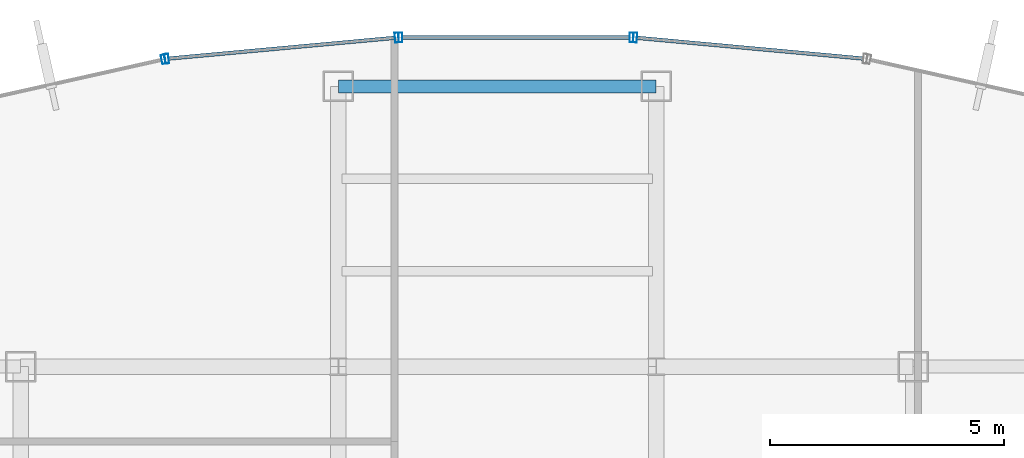
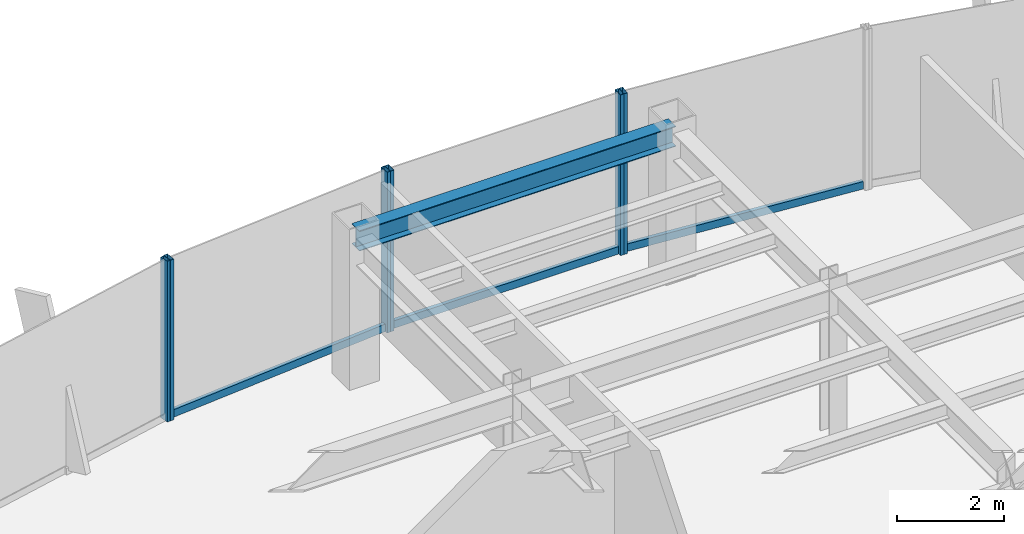
# One storey, part 16 of 25: 9 members, 1 beam, 4 elements without a shape of their own.
"""IFC4 building model written with IfcOpenShell, lengths in metres."""

from ifc_helpers import new_model, si_unit, derived_unit, direction, frame, origin, origin_2d, place, context, subcontext, project, spatial, hollow_rectangle, i_section, extrude, source, transform, mapped, material, material_profile, profile_set, type_object, element, aggregate, save


model = new_model("IFC4")

# Units and contexts
model_context = context("Model", 3, precision=1e-05, world=origin(), true_north=direction((0.0, 1.0)))
body_context = subcontext(model_context, "Body", "Model", "MODEL_VIEW")
ifc_project = project(units=[si_unit("LENGTHUNIT", "METRE"), si_unit("AREAUNIT", "SQUARE_METRE"), si_unit("VOLUMEUNIT", "CUBIC_METRE"), si_unit("PLANEANGLEUNIT", "RADIAN"), si_unit("MASSUNIT", "GRAM", prefix="KILO"), derived_unit("THERMALTRANSMITTANCEUNIT", [(si_unit("POWERUNIT", "WATT"), 1), (si_unit("LENGTHUNIT", "METRE"), -2), (si_unit("THERMODYNAMICTEMPERATUREUNIT", "KELVIN"), -1)])], contexts=[model_context])

# Site, building, storey
site_placement = place(None, origin())
site = spatial("IfcSite", under=ifc_project, at=site_placement, CompositionType="ELEMENT")
building_placement = place(site_placement, origin())
building = spatial("IfcBuilding", under=site, at=building_placement, Name="Skarnbrae Concourse Arena and Tower", CompositionType="ELEMENT")
storey_placement = place(building_placement, frame((0.0, 0.0, 169.800048828125)))
storey = spatial("IfcBuildingStorey", under=building, at=storey_placement, Name="L43", CompositionType="ELEMENT", Elevation=169.800048828125)

# Beam
ifc_material_1 = material(Name="Steel CSA G40.21 350W", Category="steel")
ifc_material_profile_1 = material_profile(ifc_material_1, i_section(OverallWidth=0.280029296875, OverallDepth=0.462890625, WebThickness=0.0107421875, FlangeThickness=0.017333984375, at=origin_2d()), Name="W460X113")
ifc_profile_set_1 = profile_set([ifc_material_profile_1], Name="Steel CSA G40.21 350W")
beam_type = type_object("IfcBeamType", Name="BM-SPAN-W460X113", PredefinedType="SPANDREL", material=ifc_profile_set_1)
shared_shape_1 = source(origin(), body_context, "Body", "SweptSolid", [
    extrude(i_section(OverallWidth=0.280029296875, OverallDepth=0.462890625, WebThickness=0.0107421875, FlangeThickness=0.017333984375, at=origin_2d()), origin(), (0.0, 0.0, 1.0), 6.800048828125),
])
beam_placement = place(storey_placement, frame((21.199951171875, 40.39990234375, 3.16845703125), z_axis=(1.0, 0.0, 0.0), x_axis=(0.0, 1.0, 0.0)))
element("IfcBeam", 1, at=beam_placement, inside=storey, type_object=beam_type, Name="L43 Perimeter spandrel Y40.4-1", PredefinedType="SPANDREL", context=body_context, shape_type="MappedRepresentation", body=[
    mapped(shared_shape_1, transform((0.0, 0.0, 0.0))),
])

# Curtain wall, member
ifc_material_2 = material(Name="Bronze anodised aluminium 6063-T6", Category="aluminium")
curtain_wall_type_1 = type_object("IfcCurtainWallType", Name="CW-SYS-03-PORTAL", PredefinedType="USERDEFINED", material=ifc_material_2)
curtain_wall_1_placement = place(storey_placement, origin())
curtain_wall_1 = element("IfcCurtainWall", 2, at=curtain_wall_1_placement, inside=storey, type_object=curtain_wall_type_1, Name="L43 Unitised curtain wall CW-L43-E10", ObjectType="UNITISED CURTAIN WALL", PredefinedType="USERDEFINED")
ifc_material_profile_2 = material_profile(ifc_material_2, hollow_rectangle(XDim=0.080078125, YDim=0.2099609375, WallThickness=0.00439453125, at=origin_2d()), Name="ALU-MULL-80X210")
ifc_profile_set_2 = profile_set([ifc_material_profile_2], Name="Bronze anodised aluminium 6063-T6")
member_type_1 = type_object("IfcMemberType", Name="CWM-CW-03", PredefinedType="MULLION", material=ifc_profile_set_2)
shared_shape_2 = source(origin(), body_context, "Body", "SweptSolid", [
    extrude(hollow_rectangle(XDim=0.080078125, YDim=0.2099609375, WallThickness=0.00439453125, at=origin_2d()), origin(), (0.0, 0.0, 1.0), 3.64990234375),
])
member_1_placement = place(storey_placement, frame((27.551025390625, 41.44189453125, 0.0), z_axis=(0.0, 0.0, 1.0), x_axis=(-0.995819926016, 0.091338244731, 0.0)))
member_1 = element("IfcMember", 3, at=member_1_placement, type_object=member_type_1, Name="CW-L43-E10 Mullion 2", PredefinedType="MULLION", context=body_context, shape_type="MappedRepresentation", body=[
    mapped(shared_shape_2, transform((0.0, 0.0, 0.0))),
])

# Curtain wall, members
curtain_wall_2_placement = place(storey_placement, origin())
curtain_wall_2 = element("IfcCurtainWall", 4, at=curtain_wall_2_placement, inside=storey, type_object=curtain_wall_type_1, Name="L43 Unitised curtain wall CW-L43-E11", ObjectType="UNITISED CURTAIN WALL", PredefinedType="USERDEFINED")
member_2_placement = place(storey_placement, frame((27.47119140625, 41.445556640625, 0.0), z_axis=(0.0, 0.0, 1.0), x_axis=(-1.0, 0.0, 0.0)))
member_2 = element("IfcMember", 5, at=member_2_placement, type_object=member_type_1, Name="CW-L43-E11 Mullion 1", PredefinedType="MULLION", context=body_context, shape_type="MappedRepresentation", body=[
    mapped(shared_shape_2, transform((0.0, 0.0, 0.0))),
])
member_3_placement = place(storey_placement, frame((22.52880859375, 41.445556640625, 0.0), z_axis=(0.0, 0.0, 1.0), x_axis=(-1.0, 0.0, 0.0)))
member_3 = element("IfcMember", 6, at=member_3_placement, type_object=member_type_1, Name="CW-L43-E11 Mullion 2", PredefinedType="MULLION", context=body_context, shape_type="MappedRepresentation", body=[
    mapped(shared_shape_2, transform((0.0, 0.0, 0.0))),
])

curtain_wall_3_placement = place(storey_placement, origin())
curtain_wall_3 = element("IfcCurtainWall", 7, at=curtain_wall_3_placement, inside=storey, type_object=curtain_wall_type_1, Name="L43 Unitised curtain wall CW-L43-E12", ObjectType="UNITISED CURTAIN WALL", PredefinedType="USERDEFINED")
member_4_placement = place(storey_placement, frame((22.448974609375, 41.44189453125, 0.0), z_axis=(0.0, 0.0, 1.0), x_axis=(-0.995819926016, -0.091338244731, 0.0)))
member_4 = element("IfcMember", 8, at=member_4_placement, type_object=member_type_1, Name="CW-L43-E12 Mullion 1", PredefinedType="MULLION", context=body_context, shape_type="MappedRepresentation", body=[
    mapped(shared_shape_2, transform((0.0, 0.0, 0.0))),
])
member_5_placement = place(storey_placement, frame((17.527587890625, 40.990478515625, 0.0), z_axis=(0.0, 0.0, 1.0), x_axis=(-0.995819926016, -0.091338244731, 0.0)))
member_5 = element("IfcMember", 9, at=member_5_placement, type_object=member_type_1, Name="CW-L43-E12 Mullion 2", PredefinedType="MULLION", context=body_context, shape_type="MappedRepresentation", body=[
    mapped(shared_shape_2, transform((0.0, 0.0, 0.0))),
])

# Curtain wall, member
curtain_wall_type_2 = type_object("IfcCurtainWallType", Name="CW-SYS-04-MIDZONE", PredefinedType="USERDEFINED", material=ifc_material_2)
curtain_wall_4_placement = place(storey_placement, origin())
curtain_wall_4 = element("IfcCurtainWall", 10, at=curtain_wall_4_placement, inside=storey, type_object=curtain_wall_type_2, Name="L43 Unitised curtain wall CW-L43-E13", ObjectType="UNITISED CURTAIN WALL", PredefinedType="USERDEFINED")
ifc_material_profile_3 = material_profile(ifc_material_2, hollow_rectangle(XDim=0.074951171875, YDim=0.195068359375, WallThickness=0.00439453125, at=origin_2d()), Name="ALU-MULL-75X195")
ifc_profile_set_3 = profile_set([ifc_material_profile_3], Name="Bronze anodised aluminium 6063-T6")
member_type_2 = type_object("IfcMemberType", Name="CWM-CW-04", PredefinedType="MULLION", material=ifc_profile_set_3)
shared_shape_3 = source(origin(), body_context, "Body", "SweptSolid", [
    extrude(hollow_rectangle(XDim=0.074951171875, YDim=0.195068359375, WallThickness=0.00439453125, at=origin_2d()), origin(), (0.0, 0.0, 1.0), 3.64990234375),
])
member_6_placement = place(storey_placement, frame((17.451171875, 40.978759765625, 0.0), z_axis=(0.0, 0.0, 1.0), x_axis=(-0.975936175393, -0.218056372433, 0.0)))
member_6 = element("IfcMember", 11, at=member_6_placement, type_object=member_type_2, Name="CW-L43-E13 Mullion 1", PredefinedType="MULLION", context=body_context, shape_type="MappedRepresentation", body=[
    mapped(shared_shape_3, transform((0.0, 0.0, 0.0))),
])
aggregate(curtain_wall_4, [member_6])

# Member
ifc_material_profile_4 = material_profile(ifc_material_2, hollow_rectangle(XDim=0.080078125, YDim=0.169921875, WallThickness=0.00439453125, at=origin_2d()), Name="ALU-TRAN-80X170")
ifc_profile_set_4 = profile_set([ifc_material_profile_4], Name="Bronze anodised aluminium 6063-T6")
member_type_3 = type_object("IfcMemberType", Name="CWT-CW-03", PredefinedType="USERDEFINED", material=ifc_profile_set_4)
shared_shape_4 = source(origin(), body_context, "Body", "SweptSolid", [
    extrude(hollow_rectangle(XDim=0.080078125, YDim=0.169921875, WallThickness=0.00439453125, at=origin_2d()), origin(), (0.0, 0.0, 1.0), 4.86181640625),
])
member_7_placement = place(storey_placement, frame((32.4326171875, 40.994140625, 0.0849609375), z_axis=(-0.995819615433, 0.091341630804, 0.0), x_axis=(-0.091341630804, -0.995819615433, 0.0)))
member_7 = element("IfcMember", 12, at=member_7_placement, type_object=member_type_3, Name="CW-L43-E10 Transom 1", ObjectType="TRANSOM", PredefinedType="USERDEFINED", context=body_context, shape_type="MappedRepresentation", body=[
    mapped(shared_shape_4, transform((0.0, 0.0, 0.0))),
])

aggregate(curtain_wall_1, [member_1, member_7])

member_8_placement = place(storey_placement, frame((22.408935546875, 41.438232421875, 0.0849609375), z_axis=(-0.995819615433, -0.091341630804, 0.0), x_axis=(0.091341630804, -0.995819615433, 0.0)))
member_8 = element("IfcMember", 13, at=member_8_placement, type_object=member_type_3, Name="CW-L43-E12 Transom 1", ObjectType="TRANSOM", PredefinedType="USERDEFINED", context=body_context, shape_type="MappedRepresentation", body=[
    mapped(shared_shape_4, transform((0.0, 0.0, 0.0))),
])

aggregate(curtain_wall_3, [member_4, member_5, member_8])

shared_shape_5 = source(origin(), body_context, "Body", "SweptSolid", [
    extrude(hollow_rectangle(XDim=0.080078125, YDim=0.169921875, WallThickness=0.00439453125, at=origin_2d()), origin(), (0.0, 0.0, 1.0), 4.86279296875),
])
member_9_placement = place(storey_placement, frame((27.431396484375, 41.445556640625, 0.0849609375), z_axis=(-1.0, 0.0, 0.0), x_axis=(0.0, -1.0, 0.0)))
member_9 = element("IfcMember", 14, at=member_9_placement, type_object=member_type_3, Name="CW-L43-E11 Transom 1", ObjectType="TRANSOM", PredefinedType="USERDEFINED", context=body_context, shape_type="MappedRepresentation", body=[
    mapped(shared_shape_5, transform((0.0, 0.0, 0.0))),
])

aggregate(curtain_wall_2, [member_2, member_3, member_9])

save(model, "model.ifc")
